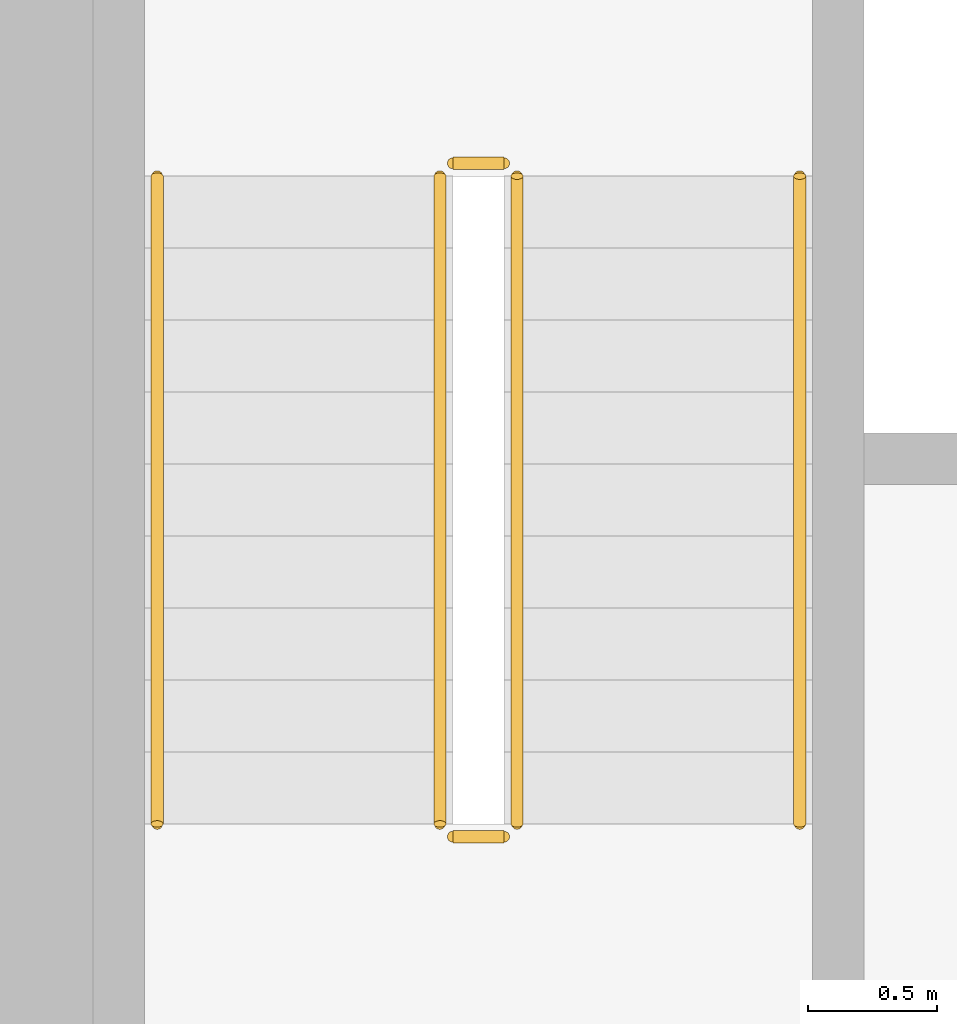
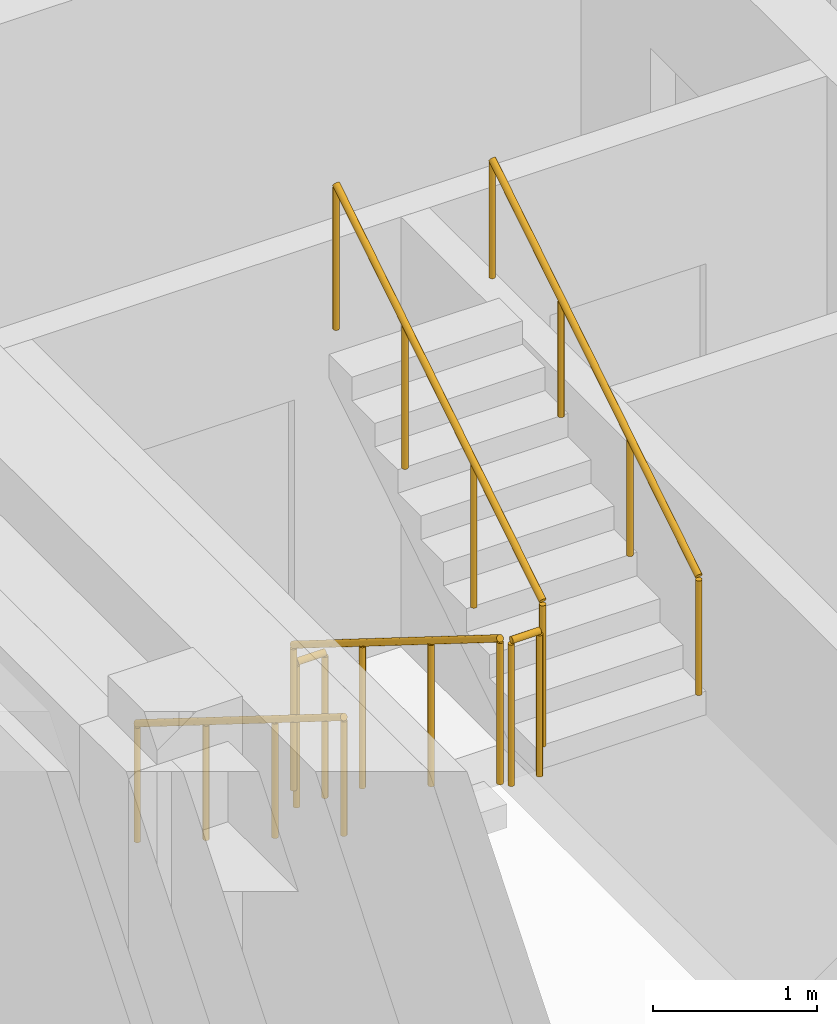
# One storey, part 8 of 11: 6 railings.
"""IFC4 building model written with IfcOpenShell, lengths in metres."""

from ifc_helpers import new_model, si_unit, direction, frame, origin, origin_2d, place, context, subcontext, project, spatial, circle, extrude, material, type_object, element, save


model = new_model("IFC4")

# Units and contexts
model_context = context("Model", 3, precision=1e-05, world=origin(), true_north=direction((0.0, 1.0)))
body_context = subcontext(model_context, "Body", "Model", "MODEL_VIEW")
ifc_project = project(units=[si_unit("LENGTHUNIT", "METRE"), si_unit("AREAUNIT", "SQUARE_METRE"), si_unit("VOLUMEUNIT", "CUBIC_METRE"), si_unit("PLANEANGLEUNIT", "RADIAN"), si_unit("MASSUNIT", "GRAM", prefix="KILO")], contexts=[model_context])

# Site, building, storey
site_placement = place(None, origin())
site = spatial("IfcSite", under=ifc_project, at=site_placement, CompositionType="ELEMENT")
building_placement = place(site_placement, origin())
building = spatial("IfcBuilding", under=site, at=building_placement, Name="Kiln Ring Residences", CompositionType="ELEMENT")
storey_placement = place(building_placement, frame((0.0, 0.0, 303.39990234375)))
storey = spatial("IfcBuildingStorey", under=building, at=storey_placement, Name="L78 Crown", CompositionType="ELEMENT", Elevation=303.39990234375)

# Railings
ifc_material_1 = material(Name="Stainless steel", Category="steel")
railing_type_1 = type_object("IfcRailingType", Name="CORE-STAIR-GUARD", PredefinedType="GUARDRAIL", material=ifc_material_1)
railing_1_placement = place(storey_placement, frame((-22.25, 8.39990234375, 0.175048828125)))
element("IfcRailing", 1, at=railing_1_placement, inside=storey, type_object=railing_type_1, Name="L78 Crown W-STN stair guard 1", PredefinedType="GUARDRAIL", context=body_context, shape_type="SweptSolid", body=[
    extrude(circle(Radius=0.02392578125, at=origin_2d()), frame((0.0, 0.0, 1.076171875), z_axis=(0.0, -0.848007534815, 0.529984170421), x_axis=(1.0, 0.0, 0.0)), (0.0, 0.0, 1.0), 2.9716796875),
    extrude(circle(Radius=0.02099609375, at=origin_2d()), origin(), (0.0, 0.0, 1.0), 1.052001953125),
    extrude(circle(Radius=0.02099609375, at=origin_2d()), frame((0.0, -0.840087890625, 0.52490234375)), (0.0, 0.0, 1.0), 1.052001953125),
    extrude(circle(Radius=0.02099609375, at=origin_2d()), frame((0.0, -1.679931640625, 1.050048828125)), (0.0, 0.0, 1.0), 1.052001953125),
    extrude(circle(Radius=0.02099609375, at=origin_2d()), frame((0.0, -2.52001953125, 1.574951171875)), (0.0, 0.0, 1.0), 1.052001953125),
])
railing_2_placement = place(storey_placement, frame((-22.199951171875, 5.830078125, 1.75)))
element("IfcRailing", 2, at=railing_2_placement, inside=storey, type_object=railing_type_1, Name="L78 Crown W-STN stair guard 2", PredefinedType="GUARDRAIL", context=body_context, shape_type="SweptSolid", body=[
    extrude(circle(Radius=0.02392578125, at=origin_2d()), frame((0.0, 0.0, 1.076171875), z_axis=(1.0, 0.0, 0.0), x_axis=(0.0, 1.0, 0.0)), (0.0, 0.0, 1.0), 0.199951171875),
    extrude(circle(Radius=0.02099609375, at=origin_2d()), origin(), (0.0, 0.0, 1.0), 1.052001953125),
    extrude(circle(Radius=0.02099609375, at=origin_2d()), frame((0.199951171875, 0.0, 0.0)), (0.0, 0.0, 1.0), 1.052001953125),
])
railing_3_placement = place(storey_placement, frame((-21.949951171875, 5.8798828125, 1.925048828125)))
element("IfcRailing", 3, at=railing_3_placement, inside=storey, type_object=railing_type_1, Name="L78 Crown W-STN stair guard 3", PredefinedType="GUARDRAIL", context=body_context, shape_type="SweptSolid", body=[
    extrude(circle(Radius=0.02392578125, at=origin_2d()), frame((0.0, 0.0, 1.076171875), z_axis=(0.0, 0.848007534815, 0.529984170421), x_axis=(-1.0, 0.0, 0.0)), (0.0, 0.0, 1.0), 2.9716796875),
    extrude(circle(Radius=0.02099609375, at=origin_2d()), origin(), (0.0, 0.0, 1.0), 1.052001953125),
    extrude(circle(Radius=0.02099609375, at=origin_2d()), frame((0.0, 0.840087890625, 0.52490234375)), (0.0, 0.0, 1.0), 1.052001953125),
    extrude(circle(Radius=0.02099609375, at=origin_2d()), frame((0.0, 1.679931640625, 1.050048828125)), (0.0, 0.0, 1.0), 1.052001953125),
    extrude(circle(Radius=0.02099609375, at=origin_2d()), frame((0.0, 2.52001953125, 1.574951171875)), (0.0, 0.0, 1.0), 1.052001953125),
])
railing_4_placement = place(storey_placement, frame((-22.199951171875, 8.449951171875, 0.0)))
element("IfcRailing", 4, at=railing_4_placement, inside=storey, type_object=railing_type_1, Name="L78 Crown W-STN stair guard 4", PredefinedType="GUARDRAIL", context=body_context, shape_type="SweptSolid", body=[
    extrude(circle(Radius=0.02392578125, at=origin_2d()), frame((0.0, 0.0, 1.076171875), z_axis=(1.0, 0.0, 0.0), x_axis=(0.0, 1.0, 0.0)), (0.0, 0.0, 1.0), 0.199951171875),
    extrude(circle(Radius=0.02099609375, at=origin_2d()), origin(), (0.0, 0.0, 1.0), 1.052001953125),
    extrude(circle(Radius=0.02099609375, at=origin_2d()), frame((0.199951171875, 0.0, 0.0)), (0.0, 0.0, 1.0), 1.052001953125),
])
ifc_material_2 = material(Name="Stainless steel", Category="steel")
railing_type_2 = type_object("IfcRailingType", Name="CORE-STAIR-HANDRAIL", PredefinedType="HANDRAIL", material=ifc_material_2)
railing_5_placement = place(storey_placement, frame((-23.35009765625, 8.39990234375, 0.175048828125)))
element("IfcRailing", 5, at=railing_5_placement, inside=storey, type_object=railing_type_2, Name="L78 Crown W-STN stair handrail 1", PredefinedType="HANDRAIL", context=body_context, shape_type="SweptSolid", body=[
    extrude(circle(Radius=0.02392578125, at=origin_2d()), frame((0.0, 0.0, 0.8759765625), z_axis=(0.0, -0.848007534815, 0.529984170421), x_axis=(1.0, 0.0, 0.0)), (0.0, 0.0, 1.0), 2.9716796875),
    extrude(circle(Radius=0.02099609375, at=origin_2d()), origin(), (0.0, 0.0, 1.0), 0.851806640625),
    extrude(circle(Radius=0.02099609375, at=origin_2d()), frame((0.0, -0.840087890625, 0.52490234375)), (0.0, 0.0, 1.0), 0.851806640625),
    extrude(circle(Radius=0.02099609375, at=origin_2d()), frame((0.0, -1.679931640625, 1.050048828125)), (0.0, 0.0, 1.0), 0.851806640625),
    extrude(circle(Radius=0.02099609375, at=origin_2d()), frame((0.0, -2.52001953125, 1.574951171875)), (0.0, 0.0, 1.0), 0.851806640625),
])
railing_6_placement = place(storey_placement, frame((-20.85009765625, 5.8798828125, 1.925048828125)))
element("IfcRailing", 6, at=railing_6_placement, inside=storey, type_object=railing_type_2, Name="L78 Crown W-STN stair handrail 2", PredefinedType="HANDRAIL", context=body_context, shape_type="SweptSolid", body=[
    extrude(circle(Radius=0.02392578125, at=origin_2d()), frame((0.0, 0.0, 0.8759765625), z_axis=(0.0, 0.848007534815, 0.529984170421), x_axis=(-1.0, 0.0, 0.0)), (0.0, 0.0, 1.0), 2.9716796875),
    extrude(circle(Radius=0.02099609375, at=origin_2d()), origin(), (0.0, 0.0, 1.0), 0.851806640625),
    extrude(circle(Radius=0.02099609375, at=origin_2d()), frame((0.0, 0.840087890625, 0.52490234375)), (0.0, 0.0, 1.0), 0.851806640625),
    extrude(circle(Radius=0.02099609375, at=origin_2d()), frame((0.0, 1.679931640625, 1.050048828125)), (0.0, 0.0, 1.0), 0.851806640625),
    extrude(circle(Radius=0.02099609375, at=origin_2d()), frame((0.0, 2.52001953125, 1.574951171875)), (0.0, 0.0, 1.0), 0.851806640625),
])

save(model, "model.ifc")
